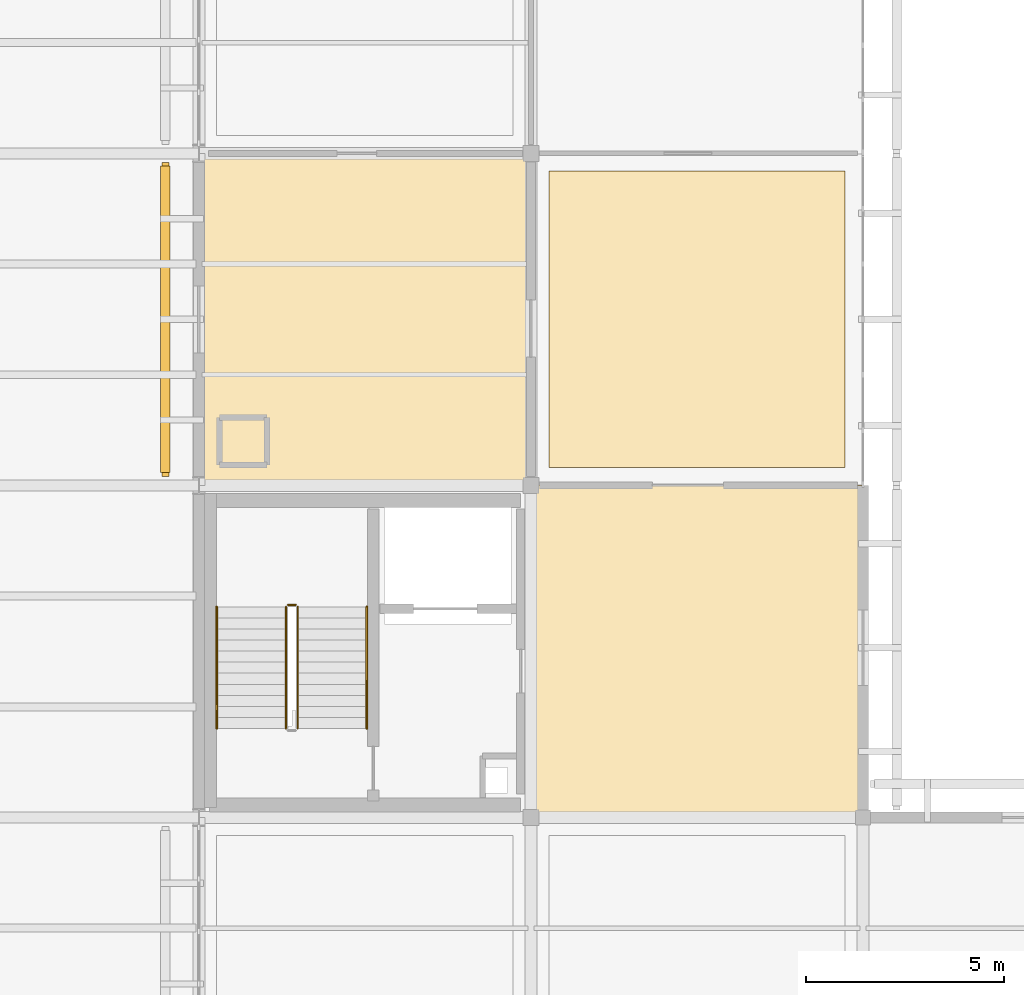
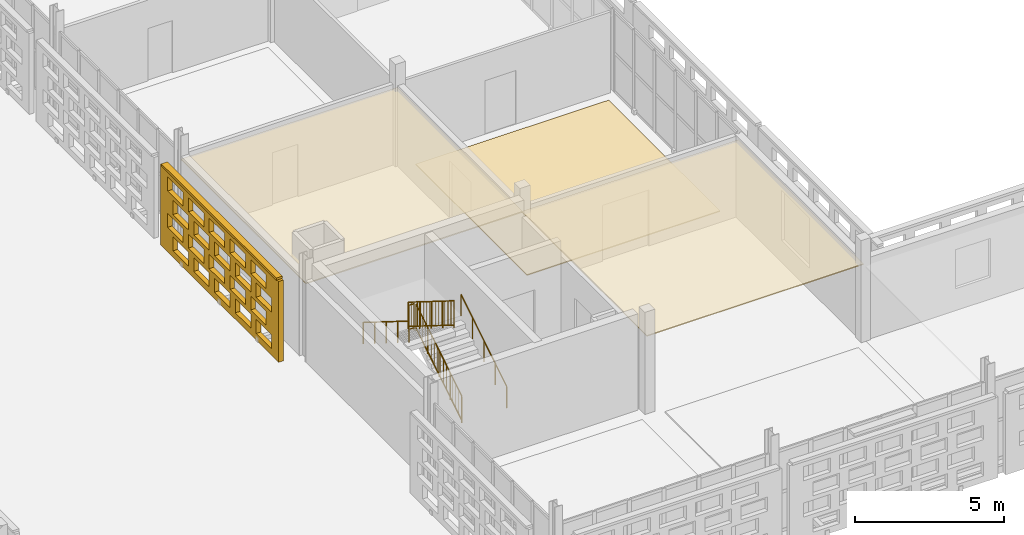
# One storey, part 137 of 166: 5 railings, 4 coverings, 1 shading device, 20 openings.
"""IFC4 building model written with IfcOpenShell, lengths in metres."""

import ifcopenshell
import ifcopenshell.guid

model = None  # the IFC model being written
_history = None  # IfcOwnerHistory: only IFC2X3 demands one
_inside = {}  # id of a spatial element -> (the spatial element, [elements in it])
_under = {}  # id of a project, library or spatial element -> (it, [spatial elements below it])
_declared = {}  # id of a project -> (the project, [libraries it declares])
_typed = {}  # id of a type object -> (the type object, [elements of that type])
_made_of = {}  # id of a material, layer set ... -> (it, [elements and type objects made of it])


def new_model(schema):
    """Start an empty IFC model of exactly this schema.

    Asked for "IFC4X3", IfcOpenShell would pick the latest addendum, in which some entities
    have other attributes; the version numbers below select the first issue.
    IFC2X3 requires an IfcOwnerHistory on every rooted entity: one is made here for all.
    """
    global model, _history
    if schema == "IFC4X3":
        model = ifcopenshell.file(schema_version=(4, 3, 0, 0))
    else:
        model = ifcopenshell.file(schema=schema)
    _inside.clear()
    _under.clear()
    _declared.clear()
    _typed.clear()
    _made_of.clear()
    _history = None
    if model.schema == "IFC2X3":
        org = make("IfcOrganization", Name="unknown")
        user = make(
            "IfcPersonAndOrganization",
            ThePerson=make("IfcPerson", FamilyName="unknown"),
            TheOrganization=org,
        )
        app = make(
            "IfcApplication",
            ApplicationDeveloper=org,
            Version="unknown",
            ApplicationFullName="unknown",
            ApplicationIdentifier="unknown",
        )
        _history = make(
            "IfcOwnerHistory",
            OwningUser=user,
            OwningApplication=app,
            ChangeAction="ADDED",
            CreationDate=0,
        )
    return model


def make(cls, **values):
    """One entity of the class cls with the attributes given. An attribute that is None is left unset."""
    return model.create_entity(
        cls, **{name: value for name, value in values.items() if value is not None}
    )


def rooted(cls, **values):
    """An entity with a GlobalId (a new one), such as an element, a storey or a relation."""
    return make(cls, GlobalId=ifcopenshell.guid.new(), OwnerHistory=_history, **values)


def si_unit(unit_type, name, prefix=None):
    """IfcSIUnit, for example si_unit("LENGTHUNIT", "METRE", prefix="MILLI")."""
    return make("IfcSIUnit", UnitType=unit_type, Prefix=prefix, Name=name)


def assignment(units):
    """IfcUnitAssignment: the units of a project."""
    return None if units is None else make("IfcUnitAssignment", Units=units)


def point(xyz):
    """IfcCartesianPoint."""
    return None if xyz is None else make("IfcCartesianPoint", Coordinates=xyz)


def direction(xyz):
    """IfcDirection."""
    return None if xyz is None else make("IfcDirection", DirectionRatios=xyz)


def frame(location, z_axis=None, x_axis=None):
    """IfcAxis2Placement3D, a coordinate frame: its origin and axes. An axis left out is left unset."""
    return make(
        "IfcAxis2Placement3D",
        Location=point(location),
        Axis=direction(z_axis),
        RefDirection=direction(x_axis),
    )


def frame_2d(location, x_axis=None):
    """IfcAxis2Placement2D, a coordinate frame in the plane: its origin and x axis."""
    return make(
        "IfcAxis2Placement2D", Location=point(location), RefDirection=direction(x_axis)
    )


def origin():
    """The frame at (0, 0, 0) with its axes left unset."""
    return frame((0.0, 0.0, 0.0))


def origin_2d():
    """The frame at (0, 0) in the plane with its x axis left unset."""
    return frame_2d((0.0, 0.0))


def place(relative_to, where):
    """IfcLocalPlacement: puts the frame where relative to a parent placement (None: the world)."""
    return make(
        "IfcLocalPlacement", PlacementRelTo=relative_to, RelativePlacement=where
    )


def context(
    kind, dimensions, precision=None, world=None, true_north=None, identifier=None
):
    """IfcGeometricRepresentationContext, for example the 3D "Model" context."""
    return make(
        "IfcGeometricRepresentationContext",
        ContextIdentifier=identifier,
        ContextType=kind,
        CoordinateSpaceDimension=dimensions,
        Precision=precision,
        WorldCoordinateSystem=world,
        TrueNorth=true_north,
    )


def subcontext(parent, identifier, kind, view, scale=None):
    """IfcGeometricRepresentationSubContext, for example "Body" below "Model"."""
    return make(
        "IfcGeometricRepresentationSubContext",
        ContextIdentifier=identifier,
        ContextType=kind,
        ParentContext=parent,
        TargetScale=scale,
        TargetView=view,
    )


def project(units=None, contexts=None):
    """IfcProject with its units and contexts."""
    return rooted(
        "IfcProject",
        Name="project",
        RepresentationContexts=contexts,
        UnitsInContext=assignment(units),
    )


def spatial(cls, under=None, at=None, **own):
    """A site, building, storey or space (cls), placed at a placement, below another one or the project."""
    s = rooted(cls, ObjectPlacement=at, **own)
    if under is not None:
        _under.setdefault(under.id(), (under, []))[1].append(s)
    return s


def profile(cls, at=None, kind="AREA", **sizes):
    """A parametric profile (cls). Its sizes go by their IFC names, for example OverallWidth=200.0."""
    return make(cls, ProfileType=kind, Position=at, **sizes)


def rectangle(**sizes):
    """IfcRectangleProfileDef."""
    return profile("IfcRectangleProfileDef", **sizes)


def circle(**sizes):
    """IfcCircleProfileDef."""
    return profile("IfcCircleProfileDef", **sizes)


def extrude(swept, where, along, depth):
    """IfcExtrudedAreaSolid: the profile swept, set in the frame where, extruded along a direction by depth."""
    return make(
        "IfcExtrudedAreaSolid",
        SweptArea=swept,
        Position=where,
        ExtrudedDirection=direction(along),
        Depth=depth,
    )


def shape(context_of_items, identifier, shape_type, items):
    """IfcShapeRepresentation: the items that make up one representation, for example the "Body"."""
    return make(
        "IfcShapeRepresentation",
        ContextOfItems=context_of_items,
        RepresentationIdentifier=identifier,
        RepresentationType=shape_type,
        Items=items,
    )


def material(Name=None, Category=None):
    """IfcMaterial."""
    return make("IfcMaterial", Name=Name, Category=Category)


def layer(
    of_material, thickness, ventilated=None, Name=None, Category=None, Priority=None
):
    """IfcMaterialLayer: one layer of a wall or slab, of a material (None: an air gap)."""
    return make(
        "IfcMaterialLayer",
        Material=of_material,
        LayerThickness=thickness,
        IsVentilated=ventilated,
        Name=Name,
        Category=Category,
        Priority=Priority,
    )


def layer_set(layers, Name=None):
    """IfcMaterialLayerSet."""
    return make("IfcMaterialLayerSet", MaterialLayers=layers, LayerSetName=Name)


def made_of(thing, what):
    """Note that an element or type object is made of a material, layer set ...; save() writes the relation."""
    if what is not None:
        _made_of.setdefault(what.id(), (what, []))[1].append(thing)
    return thing


def type_object(cls, material=None, **own):
    """A type object (cls), such as IfcWallType, which elements share."""
    return made_of(rooted(cls, **own), material)


def element(
    cls,
    number,
    at=None,
    inside=None,
    cuts=None,
    type_object=None,
    material=None,
    context=None,
    identifier="Body",
    shape_type=None,
    held_by="IfcProductDefinitionShape",
    body=None,
    shapes=None,
    **own,
):
    """One element of the class cls, such as IfcWall. Its Tag is "e" and its number.

    at: its placement. inside: the storey or other place that contains it. cuts: it is an
    opening in that element (IfcRelVoidsElement). A single representation is given by context,
    identifier, shape_type and body (its items); several are given by shapes. held_by: the class
    of the entity that holds the representations. save() writes the other relations.
    """
    e = rooted(cls, Tag="e%d" % number, ObjectPlacement=at, **own)
    if body is not None:
        shapes = [shape(context, identifier, shape_type, body)]
    if shapes is not None:
        e.Representation = make(held_by, Representations=shapes)
    if inside is not None:
        _inside.setdefault(inside.id(), (inside, []))[1].append(e)
    if cuts is not None:
        rooted(
            "IfcRelVoidsElement", RelatingBuildingElement=cuts, RelatedOpeningElement=e
        )
    if type_object is not None:
        _typed.setdefault(type_object.id(), (type_object, []))[1].append(e)
    return made_of(e, material)


def aggregate(whole, parts):
    """IfcRelAggregates: a whole, such as a stair, and the parts it consists of."""
    return rooted("IfcRelAggregates", RelatingObject=whole, RelatedObjects=parts)


def save(model, path):
    """Write the relations noted so far, then the file.

    IfcRelAggregates (storeys below a building ...), IfcRelContainedInSpatialStructure (elements
    in a storey), IfcRelDefinesByType, IfcRelAssociatesMaterial and IfcRelDeclares: one each for
    every whole, place, type object, material and project.
    """
    for whole, parts in _under.values():
        aggregate(whole, parts)
    for where, things in _inside.values():
        rooted(
            "IfcRelContainedInSpatialStructure",
            RelatedElements=things,
            RelatingStructure=where,
        )
    for kind, things in _typed.values():
        rooted("IfcRelDefinesByType", RelatedObjects=things, RelatingType=kind)
    for what, things in _made_of.values():
        rooted("IfcRelAssociatesMaterial", RelatedObjects=things, RelatingMaterial=what)
    for by, libraries in _declared.values():
        rooted("IfcRelDeclares", RelatingContext=by, RelatedDefinitions=libraries)
    model.write(path)


model = new_model("IFC4")

# Units and contexts
model_context = context("Model", 3, precision=1e-05, world=origin(), true_north=direction((0.0, 1.0)))
body_context = subcontext(model_context, "Body", "Model", "MODEL_VIEW")
ifc_project = project(units=[si_unit("LENGTHUNIT", "METRE"), si_unit("AREAUNIT", "SQUARE_METRE"), si_unit("VOLUMEUNIT", "CUBIC_METRE"), si_unit("PLANEANGLEUNIT", "RADIAN"), si_unit("MASSUNIT", "GRAM", prefix="KILO")], contexts=[model_context])

# Site, building, storey
site_placement = place(None, origin())
site = spatial("IfcSite", under=ifc_project, at=site_placement, CompositionType="ELEMENT")
building_placement = place(site_placement, origin())
building = spatial("IfcBuilding", under=site, at=building_placement, Name="Varnapada Polytechnic", CompositionType="ELEMENT")
storey_placement = place(building_placement, frame((0.0, 0.0, 9.60009765625)))
storey = spatial("IfcBuildingStorey", under=building, at=storey_placement, Name="L02", CompositionType="ELEMENT", Elevation=9.60009765625)

# Covering
ifc_material_1 = material(Name="Acoustic Rubber Seminar Flooring")
ifc_layer_1 = layer(ifc_material_1, 0.0400390625)
ifc_layer_set_1 = layer_set([ifc_layer_1], Name="Acoustic Rubber Seminar Flooring")
covering_type_1 = type_object("IfcCoveringType", Name="Floor Finish FLR-06", PredefinedType="FLOORING", material=ifc_layer_set_1)
covering_1_placement = place(storey_placement, frame((63.0, 105.0, 0.0), z_axis=(0.0, 0.0, 1.0), x_axis=(1.0, 0.0, 0.0)))
element("IfcCovering", 1, at=covering_1_placement, inside=storey, type_object=covering_type_1, Name="L02 floor finish panel (8,13)", PredefinedType="FLOORING", context=body_context, shape_type="SweptSolid", body=[
    extrude(rectangle(XDim=7.5, YDim=7.5, at=origin_2d()), origin(), (0.0, 0.0, 1.0), 0.0400390625),
])

# Railings
ifc_material_2 = material(Name="Brushed Stainless Steel 316", Category="steel")
railing_type_1 = type_object("IfcRailingType", Name="Stair Wall Handrail SHR-01", PredefinedType="HANDRAIL", material=ifc_material_2)
railing_1_placement = place(storey_placement, frame((54.64990234375, 94.64990234375, 0.1748046875)))
element("IfcRailing", 2, at=railing_1_placement, inside=storey, type_object=railing_type_1, Name="L02 ST-4 stair handrail 1", PredefinedType="HANDRAIL", context=body_context, shape_type="SweptSolid", body=[
    extrude(circle(Radius=0.02392578125, at=origin_2d()), frame((0.0, 0.0, 0.8759765625), z_axis=(0.0, 0.847998304005, 0.529998940003), x_axis=(-1.0, 0.0, 0.0)), (0.0, 0.0, 1.0), 3.632080078125),
    extrude(circle(Radius=0.02099609375, at=origin_2d()), origin(), (0.0, 0.0, 1.0), 0.851806640625),
    extrude(circle(Radius=0.02099609375, at=origin_2d()), frame((0.0, 0.77001953125, 0.481201171875)), (0.0, 0.0, 1.0), 0.851806640625),
    extrude(circle(Radius=0.02099609375, at=origin_2d()), frame((0.0, 1.5400390625, 0.96240234375)), (0.0, 0.0, 1.0), 0.851806640625),
    extrude(circle(Radius=0.02099609375, at=origin_2d()), frame((0.0, 2.31005859375, 1.44384765625)), (0.0, 0.0, 1.0), 0.851806640625),
    extrude(circle(Radius=0.02099609375, at=origin_2d()), frame((0.0, 3.080078125, 1.925048828125)), (0.0, 0.0, 1.0), 0.851806640625),
])
railing_2_placement = place(storey_placement, frame((50.85009765625, 97.72998046875, 2.27490234375)))
element("IfcRailing", 3, at=railing_2_placement, inside=storey, type_object=railing_type_1, Name="L02 ST-4 stair handrail 2", PredefinedType="HANDRAIL", context=body_context, shape_type="SweptSolid", body=[
    extrude(circle(Radius=0.02392578125, at=origin_2d()), frame((0.0, 0.0, 0.8759765625), z_axis=(0.0, -0.847998304005, 0.529998940003), x_axis=(1.0, 0.0, 0.0)), (0.0, 0.0, 1.0), 3.632080078125),
    extrude(circle(Radius=0.02099609375, at=origin_2d()), origin(), (0.0, 0.0, 1.0), 0.851806640625),
    extrude(circle(Radius=0.02099609375, at=origin_2d()), frame((0.0, -0.77001953125, 0.481201171875)), (0.0, 0.0, 1.0), 0.851806640625),
    extrude(circle(Radius=0.02099609375, at=origin_2d()), frame((0.0, -1.5400390625, 0.96240234375)), (0.0, 0.0, 1.0), 0.851806640625),
    extrude(circle(Radius=0.02099609375, at=origin_2d()), frame((0.0, -2.31005859375, 1.44384765625)), (0.0, 0.0, 1.0), 0.851806640625),
    extrude(circle(Radius=0.02099609375, at=origin_2d()), frame((0.0, -3.080078125, 1.925048828125)), (0.0, 0.0, 1.0), 0.851806640625),
])
railing_type_2 = type_object("IfcRailingType", Name="Stair Well Guard Rail SGR-01", PredefinedType="BALUSTRADE", material=ifc_material_2)
railing_3_placement = place(storey_placement, frame((52.89990234375, 94.64990234375, 0.1748046875)))
element("IfcRailing", 4, at=railing_3_placement, inside=storey, type_object=railing_type_2, Name="L02 ST-4 stair guard 1", PredefinedType="BALUSTRADE", context=body_context, shape_type="SweptSolid", body=[
    extrude(circle(Radius=0.02392578125, at=origin_2d()), frame((0.0, 0.0, 1.09619140625), z_axis=(0.0, 0.847998304005, 0.529998940003), x_axis=(-1.0, 0.0, 0.0)), (0.0, 0.0, 1.0), 3.632080078125),
    extrude(circle(Radius=0.02392578125, at=origin_2d()), frame((0.0, 0.0, 0.10009765625), z_axis=(0.0, 0.847998304005, 0.529998940003), x_axis=(-1.0, 0.0, 0.0)), (0.0, 0.0, 1.0), 3.632080078125),
    extrude(circle(Radius=0.02099609375, at=origin_2d()), origin(), (0.0, 0.0, 1.0), 1.072021484375),
    extrude(circle(Radius=0.02099609375, at=origin_2d()), frame((0.0, 0.77001953125, 0.481201171875)), (0.0, 0.0, 1.0), 1.072021484375),
    extrude(circle(Radius=0.02099609375, at=origin_2d()), frame((0.0, 1.5400390625, 0.96240234375)), (0.0, 0.0, 1.0), 1.072021484375),
    extrude(circle(Radius=0.02099609375, at=origin_2d()), frame((0.0, 2.31005859375, 1.44384765625)), (0.0, 0.0, 1.0), 1.072021484375),
    extrude(circle(Radius=0.02099609375, at=origin_2d()), frame((0.0, 3.080078125, 1.925048828125)), (0.0, 0.0, 1.0), 1.072021484375),
    extrude(circle(Radius=0.010009765625, at=origin_2d()), frame((0.0, 0.205322265625, 0.228515625)), (0.0, 0.0, 1.0), 0.971923828125),
    extrude(circle(Radius=0.010009765625, at=origin_2d()), frame((0.0, 0.41064453125, 0.356689453125)), (0.0, 0.0, 1.0), 0.971923828125),
    extrude(circle(Radius=0.010009765625, at=origin_2d()), frame((0.0, 0.615966796875, 0.485107421875)), (0.0, 0.0, 1.0), 0.971923828125),
    extrude(circle(Radius=0.010009765625, at=origin_2d()), frame((0.0, 0.8212890625, 0.613525390625)), (0.0, 0.0, 1.0), 0.971923828125),
    extrude(circle(Radius=0.010009765625, at=origin_2d()), frame((0.0, 1.026611328125, 0.74169921875)), (0.0, 0.0, 1.0), 0.971923828125),
    extrude(circle(Radius=0.010009765625, at=origin_2d()), frame((0.0, 1.23193359375, 0.8701171875)), (0.0, 0.0, 1.0), 0.971923828125),
    extrude(circle(Radius=0.010009765625, at=origin_2d()), frame((0.0, 1.437255859375, 0.99853515625)), (0.0, 0.0, 1.0), 0.971923828125),
    extrude(circle(Radius=0.010009765625, at=origin_2d()), frame((0.0, 1.642822265625, 1.126708984375)), (0.0, 0.0, 1.0), 0.971923828125),
    extrude(circle(Radius=0.010009765625, at=origin_2d()), frame((0.0, 1.84814453125, 1.255126953125)), (0.0, 0.0, 1.0), 0.971923828125),
    extrude(circle(Radius=0.010009765625, at=origin_2d()), frame((0.0, 2.053466796875, 1.383544921875)), (0.0, 0.0, 1.0), 0.971923828125),
    extrude(circle(Radius=0.010009765625, at=origin_2d()), frame((0.0, 2.2587890625, 1.51171875)), (0.0, 0.0, 1.0), 0.971923828125),
    extrude(circle(Radius=0.010009765625, at=origin_2d()), frame((0.0, 2.464111328125, 1.64013671875)), (0.0, 0.0, 1.0), 0.971923828125),
    extrude(circle(Radius=0.010009765625, at=origin_2d()), frame((0.0, 2.66943359375, 1.7685546875)), (0.0, 0.0, 1.0), 0.971923828125),
    extrude(circle(Radius=0.010009765625, at=origin_2d()), frame((0.0, 2.874755859375, 1.896728515625)), (0.0, 0.0, 1.0), 0.971923828125),
])
railing_4_placement = place(storey_placement, frame((52.85009765625, 97.780029296875, 2.099853515625)))
element("IfcRailing", 5, at=railing_4_placement, inside=storey, type_object=railing_type_2, Name="L02 ST-4 stair guard 2", PredefinedType="BALUSTRADE", context=body_context, shape_type="SweptSolid", body=[
    extrude(circle(Radius=0.02392578125, at=origin_2d()), frame((0.0, 0.0, 1.09619140625), z_axis=(-1.0, 0.0, 0.0), x_axis=(0.0, -1.0, 0.0)), (0.0, 0.0, 1.0), 0.2001953125),
    extrude(circle(Radius=0.02392578125, at=origin_2d()), frame((0.0, 0.0, 0.10009765625), z_axis=(-1.0, 0.0, 0.0), x_axis=(0.0, -1.0, 0.0)), (0.0, 0.0, 1.0), 0.2001953125),
    extrude(circle(Radius=0.02099609375, at=origin_2d()), origin(), (0.0, 0.0, 1.0), 1.072021484375),
    extrude(circle(Radius=0.02099609375, at=origin_2d()), frame((-0.2001953125, 0.0, 0.0)), (0.0, 0.0, 1.0), 1.072021484375),
])
railing_5_placement = place(storey_placement, frame((52.60009765625, 97.72998046875, 2.27490234375)))
element("IfcRailing", 6, at=railing_5_placement, inside=storey, type_object=railing_type_2, Name="L02 ST-4 stair guard 3", PredefinedType="BALUSTRADE", context=body_context, shape_type="SweptSolid", body=[
    extrude(circle(Radius=0.02392578125, at=origin_2d()), frame((0.0, 0.0, 1.09619140625), z_axis=(0.0, -0.847998304005, 0.529998940003), x_axis=(1.0, 0.0, 0.0)), (0.0, 0.0, 1.0), 3.632080078125),
    extrude(circle(Radius=0.02392578125, at=origin_2d()), frame((0.0, 0.0, 0.10009765625), z_axis=(0.0, -0.847998304005, 0.529998940003), x_axis=(1.0, 0.0, 0.0)), (0.0, 0.0, 1.0), 3.632080078125),
    extrude(circle(Radius=0.02099609375, at=origin_2d()), origin(), (0.0, 0.0, 1.0), 1.072021484375),
    extrude(circle(Radius=0.02099609375, at=origin_2d()), frame((0.0, -0.77001953125, 0.481201171875)), (0.0, 0.0, 1.0), 1.072021484375),
    extrude(circle(Radius=0.02099609375, at=origin_2d()), frame((0.0, -1.5400390625, 0.96240234375)), (0.0, 0.0, 1.0), 1.072021484375),
    extrude(circle(Radius=0.02099609375, at=origin_2d()), frame((0.0, -2.31005859375, 1.44384765625)), (0.0, 0.0, 1.0), 1.072021484375),
    extrude(circle(Radius=0.02099609375, at=origin_2d()), frame((0.0, -3.080078125, 1.925048828125)), (0.0, 0.0, 1.0), 1.072021484375),
    extrude(circle(Radius=0.010009765625, at=origin_2d()), frame((0.0, -0.205322265625, 0.228515625)), (0.0, 0.0, 1.0), 0.971923828125),
    extrude(circle(Radius=0.010009765625, at=origin_2d()), frame((0.0, -0.41064453125, 0.356689453125)), (0.0, 0.0, 1.0), 0.971923828125),
    extrude(circle(Radius=0.010009765625, at=origin_2d()), frame((0.0, -0.615966796875, 0.485107421875)), (0.0, 0.0, 1.0), 0.971923828125),
    extrude(circle(Radius=0.010009765625, at=origin_2d()), frame((0.0, -0.8212890625, 0.613525390625)), (0.0, 0.0, 1.0), 0.971923828125),
    extrude(circle(Radius=0.010009765625, at=origin_2d()), frame((0.0, -1.026611328125, 0.74169921875)), (0.0, 0.0, 1.0), 0.971923828125),
    extrude(circle(Radius=0.010009765625, at=origin_2d()), frame((0.0, -1.23193359375, 0.8701171875)), (0.0, 0.0, 1.0), 0.971923828125),
    extrude(circle(Radius=0.010009765625, at=origin_2d()), frame((0.0, -1.437255859375, 0.99853515625)), (0.0, 0.0, 1.0), 0.971923828125),
    extrude(circle(Radius=0.010009765625, at=origin_2d()), frame((0.0, -1.642822265625, 1.126708984375)), (0.0, 0.0, 1.0), 0.971923828125),
    extrude(circle(Radius=0.010009765625, at=origin_2d()), frame((0.0, -1.84814453125, 1.255126953125)), (0.0, 0.0, 1.0), 0.971923828125),
    extrude(circle(Radius=0.010009765625, at=origin_2d()), frame((0.0, -2.053466796875, 1.383544921875)), (0.0, 0.0, 1.0), 0.971923828125),
    extrude(circle(Radius=0.010009765625, at=origin_2d()), frame((0.0, -2.2587890625, 1.51171875)), (0.0, 0.0, 1.0), 0.971923828125),
    extrude(circle(Radius=0.010009765625, at=origin_2d()), frame((0.0, -2.464111328125, 1.64013671875)), (0.0, 0.0, 1.0), 0.971923828125),
    extrude(circle(Radius=0.010009765625, at=origin_2d()), frame((0.0, -2.66943359375, 1.7685546875)), (0.0, 0.0, 1.0), 0.971923828125),
    extrude(circle(Radius=0.010009765625, at=origin_2d()), frame((0.0, -2.874755859375, 1.896728515625)), (0.0, 0.0, 1.0), 0.971923828125),
])

# Coverings
ifc_material_3 = material(Name="Mineral Fibre Acoustic Ceiling Tile")
ifc_layer_2 = layer(ifc_material_3, 0.0400390625)
ifc_layer_set_2 = layer_set([ifc_layer_2], Name="Mineral Fibre Acoustic Ceiling Tile")
covering_type_2 = type_object("IfcCoveringType", Name="Suspended Ceiling CLG-01", PredefinedType="CEILING", material=ifc_layer_set_2)
covering_2_placement = place(storey_placement, frame((63.0, 96.60009765625, 3.02978515625), z_axis=(0.0, 0.0, 1.0), x_axis=(1.0, 0.0, 0.0)))
element("IfcCovering", 7, at=covering_2_placement, inside=storey, type_object=covering_type_2, Name="L02 suspended acoustic ceiling (8,12)", PredefinedType="CEILING", context=body_context, shape_type="SweptSolid", body=[
    extrude(rectangle(XDim=8.419921875, YDim=8.419921875, at=origin_2d()), origin(), (0.0, 0.0, 1.0), 0.0400390625),
])
ifc_material_4 = material(Name="Micro-Perforated Gypsum Acoustic Ceiling")
ifc_layer_3 = layer(ifc_material_4, 0.044921875)
ifc_layer_set_3 = layer_set([ifc_layer_3], Name="Micro-Perforated Gypsum Acoustic Ceiling")
covering_type_3 = type_object("IfcCoveringType", Name="Suspended Ceiling CLG-04", PredefinedType="CEILING", material=ifc_layer_set_3)
covering_3_placement = place(storey_placement, frame((54.60009765625, 105.0, 3.02734375), z_axis=(0.0, 0.0, 1.0), x_axis=(1.0, 0.0, 0.0)))
element("IfcCovering", 8, at=covering_3_placement, inside=storey, type_object=covering_type_3, Name="L02 suspended acoustic ceiling (7,13)", PredefinedType="CEILING", context=body_context, shape_type="SweptSolid", body=[
    extrude(rectangle(XDim=8.419921875, YDim=8.419921875, at=origin_2d()), origin(), (0.0, 0.0, 1.0), 0.044921875),
])

# Covering, openings
ifc_material_5 = material(Name="Earth-toned architectural terracotta screen block", Category="masonry")
ifc_layer_4 = layer(ifc_material_5, 0.1201171875)
ifc_layer_set_4 = layer_set([ifc_layer_4], Name="Earth-toned architectural terracotta screen block")
covering_type_4 = type_object("IfcCoveringType", Name="Terracotta Screen Cladding CLD-01", PredefinedType="CLADDING", material=ifc_layer_set_4)
covering_4_placement = place(storey_placement, frame((49.550048828125, 101.02490234375, 0.0), z_axis=(0.0, 0.0, 1.0), x_axis=(0.0, 1.0, 0.0)))
covering_4 = element("IfcCovering", 9, at=covering_4_placement, inside=storey, type_object=covering_type_4, Name="L02 perforated terracotta block screen (48)", PredefinedType="CLADDING", context=body_context, shape_type="SweptSolid", body=[
    extrude(rectangle(XDim=7.9501953125, YDim=0.179931640625, at=frame_2d((3.97509765625, 0.0))), origin(), (0.0, 0.0, 1.0), 3.31982421875),
])
opening_1_placement = place(covering_4_placement, frame((0.47509765625, 0.0, 0.265625)))
element("IfcOpeningElement", 10, at=opening_1_placement, cuts=covering_4, Name="Screen perforation TBS-L02-047.1", PredefinedType="OPENING", context=body_context, shape_type="SweptSolid", body=[
    extrude(rectangle(XDim=1.0400390625, YDim=0.5810546875, at=frame_2d((0.52001953125, 0.29052734375))), frame((0.0, 0.099853515625, 0.0), z_axis=(0.0, -1.0, 0.0), x_axis=(1.0, 0.0, 0.0)), (0.0, 0.0, 1.0), 0.199951171875),
])
opening_2_placement = place(covering_4_placement, frame((1.875, 0.0, 0.265625)))
element("IfcOpeningElement", 11, at=opening_2_placement, cuts=covering_4, Name="Screen perforation TBS-L02-047.2", PredefinedType="OPENING", context=body_context, shape_type="SweptSolid", body=[
    extrude(rectangle(XDim=1.0400390625, YDim=0.5810546875, at=frame_2d((0.52001953125, 0.29052734375))), frame((0.0, 0.099853515625, 0.0), z_axis=(0.0, -1.0, 0.0), x_axis=(1.0, 0.0, 0.0)), (0.0, 0.0, 1.0), 0.199951171875),
])
opening_3_placement = place(covering_4_placement, frame((3.27490234375, 0.0, 0.265625)))
element("IfcOpeningElement", 12, at=opening_3_placement, cuts=covering_4, Name="Screen perforation TBS-L02-047.3", PredefinedType="OPENING", context=body_context, shape_type="SweptSolid", body=[
    extrude(rectangle(XDim=1.0400390625, YDim=0.5810546875, at=frame_2d((0.52001953125, 0.29052734375))), frame((0.0, 0.099853515625, 0.0), z_axis=(0.0, -1.0, 0.0), x_axis=(1.0, 0.0, 0.0)), (0.0, 0.0, 1.0), 0.199951171875),
])
opening_4_placement = place(covering_4_placement, frame((4.675048828125, 0.0, 0.265625)))
element("IfcOpeningElement", 13, at=opening_4_placement, cuts=covering_4, Name="Screen perforation TBS-L02-047.4", PredefinedType="OPENING", context=body_context, shape_type="SweptSolid", body=[
    extrude(rectangle(XDim=1.0400390625, YDim=0.5810546875, at=frame_2d((0.52001953125, 0.29052734375))), frame((0.0, 0.099853515625, 0.0), z_axis=(0.0, -1.0, 0.0), x_axis=(1.0, 0.0, 0.0)), (0.0, 0.0, 1.0), 0.199951171875),
])
opening_5_placement = place(covering_4_placement, frame((6.074951171875, 0.0, 0.265625)))
element("IfcOpeningElement", 14, at=opening_5_placement, cuts=covering_4, Name="Screen perforation TBS-L02-047.5", PredefinedType="OPENING", context=body_context, shape_type="SweptSolid", body=[
    extrude(rectangle(XDim=1.0400390625, YDim=0.5810546875, at=frame_2d((0.52001953125, 0.29052734375))), frame((0.0, 0.099853515625, 0.0), z_axis=(0.0, -1.0, 0.0), x_axis=(1.0, 0.0, 0.0)), (0.0, 0.0, 1.0), 0.199951171875),
])
opening_6_placement = place(covering_4_placement, frame((0.8349609375, 0.0, 1.0126953125)))
element("IfcOpeningElement", 15, at=opening_6_placement, cuts=covering_4, Name="Screen perforation TBS-L02-047.6", PredefinedType="OPENING", context=body_context, shape_type="SweptSolid", body=[
    extrude(rectangle(XDim=1.0400390625, YDim=0.5810546875, at=frame_2d((0.52001953125, 0.29052734375))), frame((0.0, 0.099853515625, 0.0), z_axis=(0.0, -1.0, 0.0), x_axis=(1.0, 0.0, 0.0)), (0.0, 0.0, 1.0), 0.199951171875),
])
opening_7_placement = place(covering_4_placement, frame((2.235107421875, 0.0, 1.0126953125)))
element("IfcOpeningElement", 16, at=opening_7_placement, cuts=covering_4, Name="Screen perforation TBS-L02-047.7", PredefinedType="OPENING", context=body_context, shape_type="SweptSolid", body=[
    extrude(rectangle(XDim=1.0400390625, YDim=0.5810546875, at=frame_2d((0.52001953125, 0.29052734375))), frame((0.0, 0.099853515625, 0.0), z_axis=(0.0, -1.0, 0.0), x_axis=(1.0, 0.0, 0.0)), (0.0, 0.0, 1.0), 0.199951171875),
])
opening_8_placement = place(covering_4_placement, frame((3.635009765625, 0.0, 1.0126953125)))
element("IfcOpeningElement", 17, at=opening_8_placement, cuts=covering_4, Name="Screen perforation TBS-L02-047.8", PredefinedType="OPENING", context=body_context, shape_type="SweptSolid", body=[
    extrude(rectangle(XDim=1.0400390625, YDim=0.5810546875, at=frame_2d((0.52001953125, 0.29052734375))), frame((0.0, 0.099853515625, 0.0), z_axis=(0.0, -1.0, 0.0), x_axis=(1.0, 0.0, 0.0)), (0.0, 0.0, 1.0), 0.199951171875),
])
opening_9_placement = place(covering_4_placement, frame((5.034912109375, 0.0, 1.0126953125)))
element("IfcOpeningElement", 18, at=opening_9_placement, cuts=covering_4, Name="Screen perforation TBS-L02-047.9", PredefinedType="OPENING", context=body_context, shape_type="SweptSolid", body=[
    extrude(rectangle(XDim=1.0400390625, YDim=0.5810546875, at=frame_2d((0.52001953125, 0.29052734375))), frame((0.0, 0.099853515625, 0.0), z_axis=(0.0, -1.0, 0.0), x_axis=(1.0, 0.0, 0.0)), (0.0, 0.0, 1.0), 0.199951171875),
])
opening_10_placement = place(covering_4_placement, frame((6.43505859375, 0.0, 1.0126953125)))
element("IfcOpeningElement", 19, at=opening_10_placement, cuts=covering_4, Name="Screen perforation TBS-L02-047.10", PredefinedType="OPENING", context=body_context, shape_type="SweptSolid", body=[
    extrude(rectangle(XDim=1.0400390625, YDim=0.5810546875, at=frame_2d((0.52001953125, 0.29052734375))), frame((0.0, 0.099853515625, 0.0), z_axis=(0.0, -1.0, 0.0), x_axis=(1.0, 0.0, 0.0)), (0.0, 0.0, 1.0), 0.199951171875),
])
opening_11_placement = place(covering_4_placement, frame((0.47509765625, 0.0, 1.759521484375)))
element("IfcOpeningElement", 20, at=opening_11_placement, cuts=covering_4, Name="Screen perforation TBS-L02-047.11", PredefinedType="OPENING", context=body_context, shape_type="SweptSolid", body=[
    extrude(rectangle(XDim=1.0400390625, YDim=0.5810546875, at=frame_2d((0.52001953125, 0.29052734375))), frame((0.0, 0.099853515625, 0.0), z_axis=(0.0, -1.0, 0.0), x_axis=(1.0, 0.0, 0.0)), (0.0, 0.0, 1.0), 0.199951171875),
])
opening_12_placement = place(covering_4_placement, frame((1.875, 0.0, 1.759521484375)))
element("IfcOpeningElement", 21, at=opening_12_placement, cuts=covering_4, Name="Screen perforation TBS-L02-047.12", PredefinedType="OPENING", context=body_context, shape_type="SweptSolid", body=[
    extrude(rectangle(XDim=1.0400390625, YDim=0.5810546875, at=frame_2d((0.52001953125, 0.29052734375))), frame((0.0, 0.099853515625, 0.0), z_axis=(0.0, -1.0, 0.0), x_axis=(1.0, 0.0, 0.0)), (0.0, 0.0, 1.0), 0.199951171875),
])
opening_13_placement = place(covering_4_placement, frame((3.27490234375, 0.0, 1.759521484375)))
element("IfcOpeningElement", 22, at=opening_13_placement, cuts=covering_4, Name="Screen perforation TBS-L02-047.13", PredefinedType="OPENING", context=body_context, shape_type="SweptSolid", body=[
    extrude(rectangle(XDim=1.0400390625, YDim=0.5810546875, at=frame_2d((0.52001953125, 0.29052734375))), frame((0.0, 0.099853515625, 0.0), z_axis=(0.0, -1.0, 0.0), x_axis=(1.0, 0.0, 0.0)), (0.0, 0.0, 1.0), 0.199951171875),
])
opening_14_placement = place(covering_4_placement, frame((4.675048828125, 0.0, 1.759521484375)))
element("IfcOpeningElement", 23, at=opening_14_placement, cuts=covering_4, Name="Screen perforation TBS-L02-047.14", PredefinedType="OPENING", context=body_context, shape_type="SweptSolid", body=[
    extrude(rectangle(XDim=1.0400390625, YDim=0.5810546875, at=frame_2d((0.52001953125, 0.29052734375))), frame((0.0, 0.099853515625, 0.0), z_axis=(0.0, -1.0, 0.0), x_axis=(1.0, 0.0, 0.0)), (0.0, 0.0, 1.0), 0.199951171875),
])
opening_15_placement = place(covering_4_placement, frame((6.074951171875, 0.0, 1.759521484375)))
element("IfcOpeningElement", 24, at=opening_15_placement, cuts=covering_4, Name="Screen perforation TBS-L02-047.15", PredefinedType="OPENING", context=body_context, shape_type="SweptSolid", body=[
    extrude(rectangle(XDim=1.0400390625, YDim=0.5810546875, at=frame_2d((0.52001953125, 0.29052734375))), frame((0.0, 0.099853515625, 0.0), z_axis=(0.0, -1.0, 0.0), x_axis=(1.0, 0.0, 0.0)), (0.0, 0.0, 1.0), 0.199951171875),
])
opening_16_placement = place(covering_4_placement, frame((0.8349609375, 0.0, 2.506591796875)))
element("IfcOpeningElement", 25, at=opening_16_placement, cuts=covering_4, Name="Screen perforation TBS-L02-047.16", PredefinedType="OPENING", context=body_context, shape_type="SweptSolid", body=[
    extrude(rectangle(XDim=1.0400390625, YDim=0.5810546875, at=frame_2d((0.52001953125, 0.29052734375))), frame((0.0, 0.099853515625, 0.0), z_axis=(0.0, -1.0, 0.0), x_axis=(1.0, 0.0, 0.0)), (0.0, 0.0, 1.0), 0.199951171875),
])
opening_17_placement = place(covering_4_placement, frame((2.235107421875, 0.0, 2.506591796875)))
element("IfcOpeningElement", 26, at=opening_17_placement, cuts=covering_4, Name="Screen perforation TBS-L02-047.17", PredefinedType="OPENING", context=body_context, shape_type="SweptSolid", body=[
    extrude(rectangle(XDim=1.0400390625, YDim=0.5810546875, at=frame_2d((0.52001953125, 0.29052734375))), frame((0.0, 0.099853515625, 0.0), z_axis=(0.0, -1.0, 0.0), x_axis=(1.0, 0.0, 0.0)), (0.0, 0.0, 1.0), 0.199951171875),
])
opening_18_placement = place(covering_4_placement, frame((3.635009765625, 0.0, 2.506591796875)))
element("IfcOpeningElement", 27, at=opening_18_placement, cuts=covering_4, Name="Screen perforation TBS-L02-047.18", PredefinedType="OPENING", context=body_context, shape_type="SweptSolid", body=[
    extrude(rectangle(XDim=1.0400390625, YDim=0.5810546875, at=frame_2d((0.52001953125, 0.29052734375))), frame((0.0, 0.099853515625, 0.0), z_axis=(0.0, -1.0, 0.0), x_axis=(1.0, 0.0, 0.0)), (0.0, 0.0, 1.0), 0.199951171875),
])
opening_19_placement = place(covering_4_placement, frame((5.034912109375, 0.0, 2.506591796875)))
element("IfcOpeningElement", 28, at=opening_19_placement, cuts=covering_4, Name="Screen perforation TBS-L02-047.19", PredefinedType="OPENING", context=body_context, shape_type="SweptSolid", body=[
    extrude(rectangle(XDim=1.0400390625, YDim=0.5810546875, at=frame_2d((0.52001953125, 0.29052734375))), frame((0.0, 0.099853515625, 0.0), z_axis=(0.0, -1.0, 0.0), x_axis=(1.0, 0.0, 0.0)), (0.0, 0.0, 1.0), 0.199951171875),
])
opening_20_placement = place(covering_4_placement, frame((6.43505859375, 0.0, 2.506591796875)))
element("IfcOpeningElement", 29, at=opening_20_placement, cuts=covering_4, Name="Screen perforation TBS-L02-047.20", PredefinedType="OPENING", context=body_context, shape_type="SweptSolid", body=[
    extrude(rectangle(XDim=1.0400390625, YDim=0.5810546875, at=frame_2d((0.52001953125, 0.29052734375))), frame((0.0, 0.099853515625, 0.0), z_axis=(0.0, -1.0, 0.0), x_axis=(1.0, 0.0, 0.0)), (0.0, 0.0, 1.0), 0.199951171875),
])

# Shading device
ifc_layer_5 = layer(ifc_material_5, 0.179931640625)
ifc_layer_set_5 = layer_set([ifc_layer_5], Name="Earth-toned architectural terracotta screen block")
shading_device_type = type_object("IfcShadingDeviceType", Name="Terracotta Screen SCR-01", PredefinedType="USERDEFINED", material=ifc_layer_set_5)
shading_device_placement = place(storey_placement, frame((49.550048828125, 105.0, 3.309814453125), z_axis=(0.0, 0.0, 1.0), x_axis=(0.0, 1.0, 0.0)))
element("IfcShadingDevice", 30, at=shading_device_placement, inside=storey, type_object=shading_device_type, Name="L02 perforated terracotta screen hood 274", ObjectType="SCREEN", PredefinedType="USERDEFINED", context=body_context, shape_type="SweptSolid", body=[
    extrude(rectangle(XDim=7.75, YDim=0.239990234375, at=origin_2d()), origin(), (0.0, 0.0, 1.0), 0.10009765625),
])

save(model, "model.ifc")
